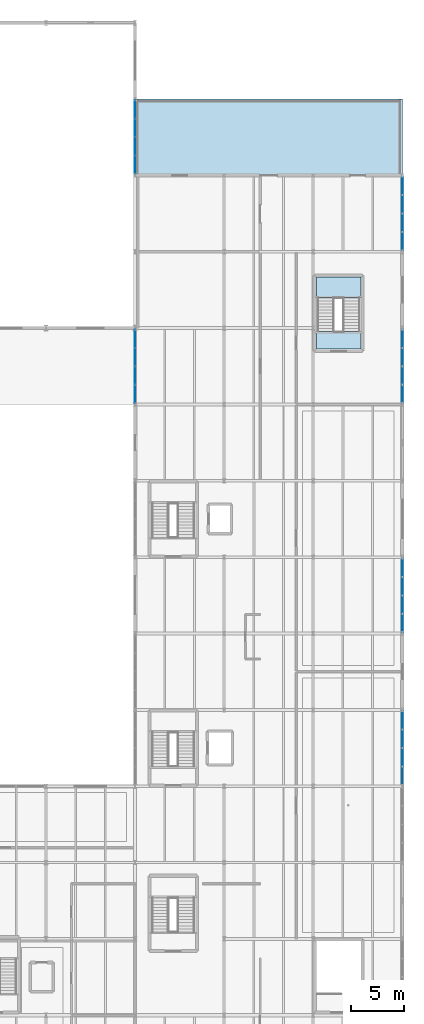
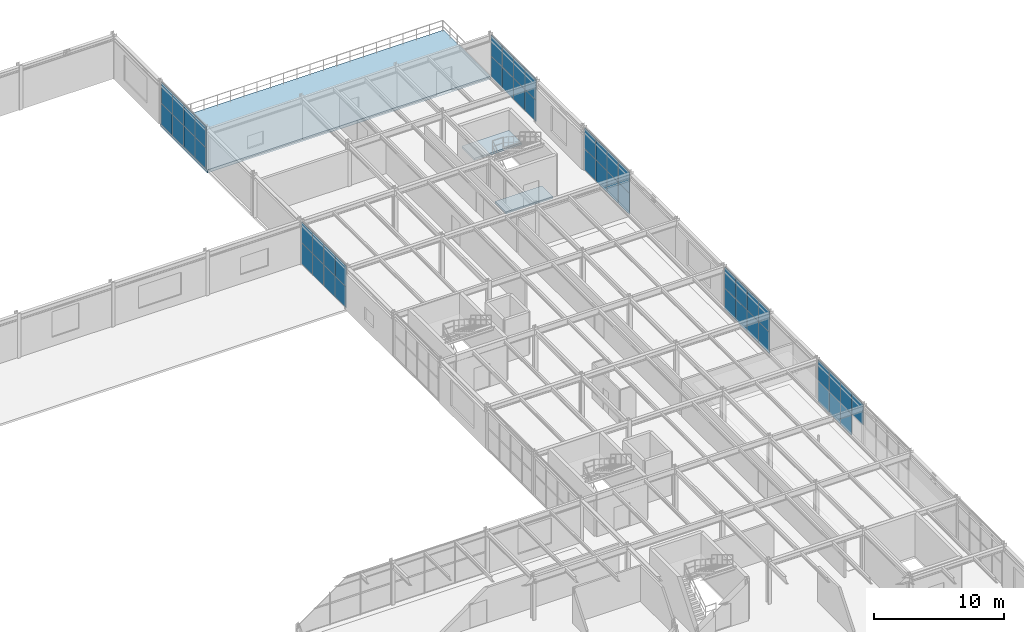
# One storey, part 55 of 73: 47 plates, 3 slabs, 7 elements without a shape of their own.
"""IFC4 building model written with IfcOpenShell, lengths in metres."""

from ifc_helpers import new_model, si_unit, derived_unit, direction, frame, origin, origin_2d, place, context, subcontext, project, spatial, polyline, rectangle, outline, extrude, material, layer, layer_set, type_object, element, aggregate, save


model = new_model("IFC4")

# Units and contexts
model_context = context("Model", 3, precision=1e-05, world=origin(), true_north=direction((0.0, 1.0)))
body_context = subcontext(model_context, "Body", "Model", "MODEL_VIEW")
ifc_project = project(units=[si_unit("LENGTHUNIT", "METRE"), si_unit("AREAUNIT", "SQUARE_METRE"), si_unit("VOLUMEUNIT", "CUBIC_METRE"), si_unit("PLANEANGLEUNIT", "RADIAN"), si_unit("MASSUNIT", "GRAM", prefix="KILO"), derived_unit("THERMALTRANSMITTANCEUNIT", [(si_unit("MASSUNIT", "GRAM", prefix="KILO"), 1), (si_unit("TIMEUNIT", "SECOND"), -3), (si_unit("THERMODYNAMICTEMPERATUREUNIT", "KELVIN"), -1)])], contexts=[model_context])

# Site, building, storey
site_placement = place(None, origin())
site = spatial("IfcSite", under=ifc_project, at=site_placement, CompositionType="ELEMENT")
building_placement = place(site_placement, origin())
building = spatial("IfcBuilding", under=site, at=building_placement, Name="Kharveza Railside Sports Centre", CompositionType="ELEMENT")
storey_placement = place(building_placement, frame((0.0, 0.0, 8.699951171875)))
storey = spatial("IfcBuildingStorey", under=building, at=storey_placement, Name="L02", CompositionType="ELEMENT", Elevation=8.699951171875)

# Curtain wall, plates
ifc_material_1 = material(Name="Low-E solar-control laminated glass", Category="glass")
curtain_wall_type = type_object("IfcCurtainWallType", Name="CW-WG02", PredefinedType="NOTDEFINED", material=ifc_material_1)
curtain_wall_1_placement = place(storey_placement, origin())
curtain_wall_1 = element("IfcCurtainWall", 1, at=curtain_wall_1_placement, inside=storey, type_object=curtain_wall_type, Name="CW-WG-L02-CW-WG02-X1680-Y396", PredefinedType="NOTDEFINED")
ifc_layer_1 = layer(ifc_material_1, 0.035888671875, Name="Low-E solar-control laminated glass")
ifc_layer_set_1 = layer_set([ifc_layer_1], Name="Low-E solar-control laminated glass")
plate_type_1 = type_object("IfcPlateType", Name="PL-CP10", PredefinedType="CURTAIN_PANEL", material=ifc_layer_set_1)
plate_1_placement = place(storey_placement, frame((168.0, 36.989990234375, 2.02001953125), z_axis=(0.0, 0.0, 1.0), x_axis=(0.0, 1.0, 0.0)))
plate_1 = element("IfcPlate", 2, at=plate_1_placement, type_object=plate_type_1, Name="CW-WG-L02-CW-WG02-X1680-Y396-PN12", PredefinedType="CURTAIN_PANEL", context=body_context, shape_type="SweptSolid", body=[
    extrude(rectangle(XDim=1.699951171875, YDim=0.035888671875, at=origin_2d()), origin(), (0.0, 0.0, 1.0), 1.9599609375),
])
plate_2_placement = place(storey_placement, frame((168.0, 38.72998046875, 2.02001953125), z_axis=(0.0, 0.0, 1.0), x_axis=(0.0, 1.0, 0.0)))
plate_2 = element("IfcPlate", 3, at=plate_2_placement, type_object=plate_type_1, Name="CW-WG-L02-CW-WG02-X1680-Y396-PN22", PredefinedType="CURTAIN_PANEL", context=body_context, shape_type="SweptSolid", body=[
    extrude(rectangle(XDim=1.699951171875, YDim=0.035888671875, at=origin_2d()), origin(), (0.0, 0.0, 1.0), 1.9599609375),
])
plate_3_placement = place(storey_placement, frame((168.0, 40.469970703125, 2.02001953125), z_axis=(0.0, 0.0, 1.0), x_axis=(0.0, 1.0, 0.0)))
plate_3 = element("IfcPlate", 4, at=plate_3_placement, type_object=plate_type_1, Name="CW-WG-L02-CW-WG02-X1680-Y396-PN32", PredefinedType="CURTAIN_PANEL", context=body_context, shape_type="SweptSolid", body=[
    extrude(rectangle(XDim=1.699951171875, YDim=0.035888671875, at=origin_2d()), origin(), (0.0, 0.0, 1.0), 1.9599609375),
])
plate_4_placement = place(storey_placement, frame((168.0, 42.2099609375, 2.02001953125), z_axis=(0.0, 0.0, 1.0), x_axis=(0.0, 1.0, 0.0)))
plate_4 = element("IfcPlate", 5, at=plate_4_placement, type_object=plate_type_1, Name="CW-WG-L02-CW-WG02-X1680-Y396-PN42", PredefinedType="CURTAIN_PANEL", context=body_context, shape_type="SweptSolid", body=[
    extrude(rectangle(XDim=1.699951171875, YDim=0.035888671875, at=origin_2d()), origin(), (0.0, 0.0, 1.0), 1.9599609375),
])

curtain_wall_2_placement = place(storey_placement, origin())
curtain_wall_2 = element("IfcCurtainWall", 6, at=curtain_wall_2_placement, inside=storey, type_object=curtain_wall_type, Name="CW-WG-L02-CW-WG02-X1680-Y540", PredefinedType="NOTDEFINED")
plate_5_placement = place(storey_placement, frame((168.0, 51.389892578125, 2.02001953125), z_axis=(0.0, 0.0, 1.0), x_axis=(0.0, 1.0, 0.0)))
plate_5 = element("IfcPlate", 7, at=plate_5_placement, type_object=plate_type_1, Name="CW-WG-L02-CW-WG02-X1680-Y540-PN12", PredefinedType="CURTAIN_PANEL", context=body_context, shape_type="SweptSolid", body=[
    extrude(rectangle(XDim=1.699951171875, YDim=0.035888671875, at=origin_2d()), origin(), (0.0, 0.0, 1.0), 1.9599609375),
])
plate_6_placement = place(storey_placement, frame((168.0, 53.1298828125, 2.02001953125), z_axis=(0.0, 0.0, 1.0), x_axis=(0.0, 1.0, 0.0)))
plate_6 = element("IfcPlate", 8, at=plate_6_placement, type_object=plate_type_1, Name="CW-WG-L02-CW-WG02-X1680-Y540-PN22", PredefinedType="CURTAIN_PANEL", context=body_context, shape_type="SweptSolid", body=[
    extrude(rectangle(XDim=1.699951171875, YDim=0.035888671875, at=origin_2d()), origin(), (0.0, 0.0, 1.0), 1.9599609375),
])
plate_7_placement = place(storey_placement, frame((168.0, 54.8701171875, 2.02001953125), z_axis=(0.0, 0.0, 1.0), x_axis=(0.0, 1.0, 0.0)))
plate_7 = element("IfcPlate", 9, at=plate_7_placement, type_object=plate_type_1, Name="CW-WG-L02-CW-WG02-X1680-Y540-PN32", PredefinedType="CURTAIN_PANEL", context=body_context, shape_type="SweptSolid", body=[
    extrude(rectangle(XDim=1.699951171875, YDim=0.035888671875, at=origin_2d()), origin(), (0.0, 0.0, 1.0), 1.9599609375),
])
plate_8_placement = place(storey_placement, frame((168.0, 56.610107421875, 2.02001953125), z_axis=(0.0, 0.0, 1.0), x_axis=(0.0, 1.0, 0.0)))
plate_8 = element("IfcPlate", 10, at=plate_8_placement, type_object=plate_type_1, Name="CW-WG-L02-CW-WG02-X1680-Y540-PN42", PredefinedType="CURTAIN_PANEL", context=body_context, shape_type="SweptSolid", body=[
    extrude(rectangle(XDim=1.699951171875, YDim=0.035888671875, at=origin_2d()), origin(), (0.0, 0.0, 1.0), 1.9599609375),
])

curtain_wall_3_placement = place(storey_placement, origin())
curtain_wall_3 = element("IfcCurtainWall", 11, at=curtain_wall_3_placement, inside=storey, type_object=curtain_wall_type, Name="CW-WG-L02-CW-WG02-X1680-Y756", PredefinedType="NOTDEFINED")
plate_9_placement = place(storey_placement, frame((168.0, 72.989990234375, 2.02001953125), z_axis=(0.0, 0.0, 1.0), x_axis=(0.0, 1.0, 0.0)))
plate_9 = element("IfcPlate", 12, at=plate_9_placement, type_object=plate_type_1, Name="CW-WG-L02-CW-WG02-X1680-Y756-PN12", PredefinedType="CURTAIN_PANEL", context=body_context, shape_type="SweptSolid", body=[
    extrude(rectangle(XDim=1.699951171875, YDim=0.035888671875, at=origin_2d()), origin(), (0.0, 0.0, 1.0), 1.9599609375),
])
plate_10_placement = place(storey_placement, frame((168.0, 74.72998046875, 2.02001953125), z_axis=(0.0, 0.0, 1.0), x_axis=(0.0, 1.0, 0.0)))
plate_10 = element("IfcPlate", 13, at=plate_10_placement, type_object=plate_type_1, Name="CW-WG-L02-CW-WG02-X1680-Y756-PN22", PredefinedType="CURTAIN_PANEL", context=body_context, shape_type="SweptSolid", body=[
    extrude(rectangle(XDim=1.699951171875, YDim=0.035888671875, at=origin_2d()), origin(), (0.0, 0.0, 1.0), 1.9599609375),
])
plate_11_placement = place(storey_placement, frame((168.0, 76.469970703125, 2.02001953125), z_axis=(0.0, 0.0, 1.0), x_axis=(0.0, 1.0, 0.0)))
plate_11 = element("IfcPlate", 14, at=plate_11_placement, type_object=plate_type_1, Name="CW-WG-L02-CW-WG02-X1680-Y756-PN32", PredefinedType="CURTAIN_PANEL", context=body_context, shape_type="SweptSolid", body=[
    extrude(rectangle(XDim=1.699951171875, YDim=0.035888671875, at=origin_2d()), origin(), (0.0, 0.0, 1.0), 1.9599609375),
])
plate_12_placement = place(storey_placement, frame((168.0, 78.2099609375, 2.02001953125), z_axis=(0.0, 0.0, 1.0), x_axis=(0.0, 1.0, 0.0)))
plate_12 = element("IfcPlate", 15, at=plate_12_placement, type_object=plate_type_1, Name="CW-WG-L02-CW-WG02-X1680-Y756-PN42", PredefinedType="CURTAIN_PANEL", context=body_context, shape_type="SweptSolid", body=[
    extrude(rectangle(XDim=1.699951171875, YDim=0.035888671875, at=origin_2d()), origin(), (0.0, 0.0, 1.0), 1.9599609375),
])

curtain_wall_4_placement = place(storey_placement, origin())
curtain_wall_4 = element("IfcCurtainWall", 16, at=curtain_wall_4_placement, inside=storey, type_object=curtain_wall_type, Name="CW-WG-L02-CW-WG02-X1680-Y900", PredefinedType="NOTDEFINED")
plate_13_placement = place(storey_placement, frame((168.0, 87.389892578125, 2.02001953125), z_axis=(0.0, 0.0, 1.0), x_axis=(0.0, 1.0, 0.0)))
plate_13 = element("IfcPlate", 17, at=plate_13_placement, type_object=plate_type_1, Name="CW-WG-L02-CW-WG02-X1680-Y900-PN12", PredefinedType="CURTAIN_PANEL", context=body_context, shape_type="SweptSolid", body=[
    extrude(rectangle(XDim=1.699951171875, YDim=0.035888671875, at=origin_2d()), origin(), (0.0, 0.0, 1.0), 1.9599609375),
])
plate_14_placement = place(storey_placement, frame((168.0, 89.1298828125, 2.02001953125), z_axis=(0.0, 0.0, 1.0), x_axis=(0.0, 1.0, 0.0)))
plate_14 = element("IfcPlate", 18, at=plate_14_placement, type_object=plate_type_1, Name="CW-WG-L02-CW-WG02-X1680-Y900-PN22", PredefinedType="CURTAIN_PANEL", context=body_context, shape_type="SweptSolid", body=[
    extrude(rectangle(XDim=1.699951171875, YDim=0.035888671875, at=origin_2d()), origin(), (0.0, 0.0, 1.0), 1.9599609375),
])
plate_15_placement = place(storey_placement, frame((168.0, 90.8701171875, 2.02001953125), z_axis=(0.0, 0.0, 1.0), x_axis=(0.0, 1.0, 0.0)))
plate_15 = element("IfcPlate", 19, at=plate_15_placement, type_object=plate_type_1, Name="CW-WG-L02-CW-WG02-X1680-Y900-PN32", PredefinedType="CURTAIN_PANEL", context=body_context, shape_type="SweptSolid", body=[
    extrude(rectangle(XDim=1.699951171875, YDim=0.035888671875, at=origin_2d()), origin(), (0.0, 0.0, 1.0), 1.9599609375),
])
plate_16_placement = place(storey_placement, frame((168.0, 92.610107421875, 2.02001953125), z_axis=(0.0, 0.0, 1.0), x_axis=(0.0, 1.0, 0.0)))
plate_16 = element("IfcPlate", 20, at=plate_16_placement, type_object=plate_type_1, Name="CW-WG-L02-CW-WG02-X1680-Y900-PN42", PredefinedType="CURTAIN_PANEL", context=body_context, shape_type="SweptSolid", body=[
    extrude(rectangle(XDim=1.699951171875, YDim=0.035888671875, at=origin_2d()), origin(), (0.0, 0.0, 1.0), 1.9599609375),
])

curtain_wall_5_placement = place(storey_placement, origin())
curtain_wall_5 = element("IfcCurtainWall", 21, at=curtain_wall_5_placement, inside=storey, type_object=curtain_wall_type, Name="CW-WG-L02-CW-WG02-X1428-Y972", PredefinedType="NOTDEFINED")
plate_17_placement = place(storey_placement, frame((142.800048828125, 94.590087890625, 2.02001953125), z_axis=(0.0, 0.0, 1.0), x_axis=(0.0, 1.0, 0.0)))
plate_17 = element("IfcPlate", 22, at=plate_17_placement, type_object=plate_type_1, Name="CW-WG-L02-CW-WG02-X1428-Y972-PN12", PredefinedType="CURTAIN_PANEL", context=body_context, shape_type="SweptSolid", body=[
    extrude(rectangle(XDim=1.699951171875, YDim=0.035888671875, at=origin_2d()), origin(), (0.0, 0.0, 1.0), 1.9599609375),
])
plate_18_placement = place(storey_placement, frame((142.800048828125, 96.330078125, 2.02001953125), z_axis=(0.0, 0.0, 1.0), x_axis=(0.0, 1.0, 0.0)))
plate_18 = element("IfcPlate", 23, at=plate_18_placement, type_object=plate_type_1, Name="CW-WG-L02-CW-WG02-X1428-Y972-PN22", PredefinedType="CURTAIN_PANEL", context=body_context, shape_type="SweptSolid", body=[
    extrude(rectangle(XDim=1.699951171875, YDim=0.035888671875, at=origin_2d()), origin(), (0.0, 0.0, 1.0), 1.9599609375),
])
plate_19_placement = place(storey_placement, frame((142.800048828125, 98.070068359375, 2.02001953125), z_axis=(0.0, 0.0, 1.0), x_axis=(0.0, 1.0, 0.0)))
plate_19 = element("IfcPlate", 24, at=plate_19_placement, type_object=plate_type_1, Name="CW-WG-L02-CW-WG02-X1428-Y972-PN32", PredefinedType="CURTAIN_PANEL", context=body_context, shape_type="SweptSolid", body=[
    extrude(rectangle(XDim=1.699951171875, YDim=0.035888671875, at=origin_2d()), origin(), (0.0, 0.0, 1.0), 1.9599609375),
])
plate_20_placement = place(storey_placement, frame((142.800048828125, 99.81005859375, 2.02001953125), z_axis=(0.0, 0.0, 1.0), x_axis=(0.0, 1.0, 0.0)))
plate_20 = element("IfcPlate", 25, at=plate_20_placement, type_object=plate_type_1, Name="CW-WG-L02-CW-WG02-X1428-Y972-PN42", PredefinedType="CURTAIN_PANEL", context=body_context, shape_type="SweptSolid", body=[
    extrude(rectangle(XDim=1.699951171875, YDim=0.035888671875, at=origin_2d()), origin(), (0.0, 0.0, 1.0), 1.9599609375),
])

curtain_wall_6_placement = place(storey_placement, origin())
curtain_wall_6 = element("IfcCurtainWall", 26, at=curtain_wall_6_placement, inside=storey, type_object=curtain_wall_type, Name="CW-WG-L02-CW-WG02-X1428-Y756", PredefinedType="NOTDEFINED")
plate_21_placement = place(storey_placement, frame((142.800048828125, 78.2099609375, 2.02001953125), z_axis=(0.0, 0.0, 1.0), x_axis=(0.0, -1.0, 0.0)))
plate_21 = element("IfcPlate", 27, at=plate_21_placement, type_object=plate_type_1, Name="CW-WG-L02-CW-WG02-X1428-Y756-PN12", PredefinedType="CURTAIN_PANEL", context=body_context, shape_type="SweptSolid", body=[
    extrude(rectangle(XDim=1.699951171875, YDim=0.035888671875, at=origin_2d()), origin(), (0.0, 0.0, 1.0), 1.9599609375),
])
plate_22_placement = place(storey_placement, frame((142.800048828125, 76.469970703125, 2.02001953125), z_axis=(0.0, 0.0, 1.0), x_axis=(0.0, -1.0, 0.0)))
plate_22 = element("IfcPlate", 28, at=plate_22_placement, type_object=plate_type_1, Name="CW-WG-L02-CW-WG02-X1428-Y756-PN22", PredefinedType="CURTAIN_PANEL", context=body_context, shape_type="SweptSolid", body=[
    extrude(rectangle(XDim=1.699951171875, YDim=0.035888671875, at=origin_2d()), origin(), (0.0, 0.0, 1.0), 1.9599609375),
])
plate_23_placement = place(storey_placement, frame((142.800048828125, 74.72998046875, 2.02001953125), z_axis=(0.0, 0.0, 1.0), x_axis=(0.0, -1.0, 0.0)))
plate_23 = element("IfcPlate", 29, at=plate_23_placement, type_object=plate_type_1, Name="CW-WG-L02-CW-WG02-X1428-Y756-PN32", PredefinedType="CURTAIN_PANEL", context=body_context, shape_type="SweptSolid", body=[
    extrude(rectangle(XDim=1.699951171875, YDim=0.035888671875, at=origin_2d()), origin(), (0.0, 0.0, 1.0), 1.9599609375),
])
plate_24_placement = place(storey_placement, frame((142.800048828125, 72.989990234375, 2.02001953125), z_axis=(0.0, 0.0, 1.0), x_axis=(0.0, -1.0, 0.0)))
plate_24 = element("IfcPlate", 30, at=plate_24_placement, type_object=plate_type_1, Name="CW-WG-L02-CW-WG02-X1428-Y756-PN42", PredefinedType="CURTAIN_PANEL", context=body_context, shape_type="SweptSolid", body=[
    extrude(rectangle(XDim=1.699951171875, YDim=0.035888671875, at=origin_2d()), origin(), (0.0, 0.0, 1.0), 1.9599609375),
])

# Plate
ifc_material_2 = material(Name="Anodised aluminium 6063-T6", Category="aluminium")
ifc_layer_2 = layer(ifc_material_2, 0.044921875, Name="Anodised aluminium 6063-T6")
ifc_layer_set_2 = layer_set([ifc_layer_2], Name="Anodised aluminium 6063-T6")
plate_type_2 = type_object("IfcPlateType", Name="PL-CP11", PredefinedType="CURTAIN_PANEL", material=ifc_layer_set_2)
plate_25_placement = place(storey_placement, frame((168.0, 38.72998046875, 0.02001953125), z_axis=(0.0, 0.0, 1.0), x_axis=(0.0, 1.0, 0.0)))
plate_25 = element("IfcPlate", 31, at=plate_25_placement, type_object=plate_type_2, Name="CW-WG-L02-CW-WG02-X1680-Y396-PN21", PredefinedType="CURTAIN_PANEL", context=body_context, shape_type="SweptSolid", body=[
    extrude(rectangle(XDim=1.699951171875, YDim=0.044921875, at=origin_2d()), origin(), (0.0, 0.0, 1.0), 1.9599609375),
])

plate_26_placement = place(storey_placement, frame((168.0, 40.469970703125, 0.02001953125), z_axis=(0.0, 0.0, 1.0), x_axis=(0.0, 1.0, 0.0)))
plate_26 = element("IfcPlate", 32, at=plate_26_placement, type_object=plate_type_2, Name="CW-WG-L02-CW-WG02-X1680-Y396-PN31", PredefinedType="CURTAIN_PANEL", context=body_context, shape_type="SweptSolid", body=[
    extrude(rectangle(XDim=1.699951171875, YDim=0.044921875, at=origin_2d()), origin(), (0.0, 0.0, 1.0), 1.9599609375),
])

plate_27_placement = place(storey_placement, frame((168.0, 42.2099609375, 0.02001953125), z_axis=(0.0, 0.0, 1.0), x_axis=(0.0, 1.0, 0.0)))
plate_27 = element("IfcPlate", 33, at=plate_27_placement, type_object=plate_type_2, Name="CW-WG-L02-CW-WG02-X1680-Y396-PN41", PredefinedType="CURTAIN_PANEL", context=body_context, shape_type="SweptSolid", body=[
    extrude(rectangle(XDim=1.699951171875, YDim=0.044921875, at=origin_2d()), origin(), (0.0, 0.0, 1.0), 1.9599609375),
])

aggregate(curtain_wall_1, [plate_1, plate_25, plate_2, plate_26, plate_3, plate_27, plate_4])

plate_28_placement = place(storey_placement, frame((168.0, 51.389892578125, 0.02001953125), z_axis=(0.0, 0.0, 1.0), x_axis=(0.0, 1.0, 0.0)))
plate_28 = element("IfcPlate", 34, at=plate_28_placement, type_object=plate_type_2, Name="CW-WG-L02-CW-WG02-X1680-Y540-PN11", PredefinedType="CURTAIN_PANEL", context=body_context, shape_type="SweptSolid", body=[
    extrude(rectangle(XDim=1.699951171875, YDim=0.044921875, at=origin_2d()), origin(), (0.0, 0.0, 1.0), 1.9599609375),
])

plate_29_placement = place(storey_placement, frame((168.0, 53.1298828125, 0.02001953125), z_axis=(0.0, 0.0, 1.0), x_axis=(0.0, 1.0, 0.0)))
plate_29 = element("IfcPlate", 35, at=plate_29_placement, type_object=plate_type_2, Name="CW-WG-L02-CW-WG02-X1680-Y540-PN21", PredefinedType="CURTAIN_PANEL", context=body_context, shape_type="SweptSolid", body=[
    extrude(rectangle(XDim=1.699951171875, YDim=0.044921875, at=origin_2d()), origin(), (0.0, 0.0, 1.0), 1.9599609375),
])

plate_30_placement = place(storey_placement, frame((168.0, 54.8701171875, 0.02001953125), z_axis=(0.0, 0.0, 1.0), x_axis=(0.0, 1.0, 0.0)))
plate_30 = element("IfcPlate", 36, at=plate_30_placement, type_object=plate_type_2, Name="CW-WG-L02-CW-WG02-X1680-Y540-PN31", PredefinedType="CURTAIN_PANEL", context=body_context, shape_type="SweptSolid", body=[
    extrude(rectangle(XDim=1.699951171875, YDim=0.044921875, at=origin_2d()), origin(), (0.0, 0.0, 1.0), 1.9599609375),
])

plate_31_placement = place(storey_placement, frame((168.0, 56.610107421875, 0.02001953125), z_axis=(0.0, 0.0, 1.0), x_axis=(0.0, 1.0, 0.0)))
plate_31 = element("IfcPlate", 37, at=plate_31_placement, type_object=plate_type_2, Name="CW-WG-L02-CW-WG02-X1680-Y540-PN41", PredefinedType="CURTAIN_PANEL", context=body_context, shape_type="SweptSolid", body=[
    extrude(rectangle(XDim=1.699951171875, YDim=0.044921875, at=origin_2d()), origin(), (0.0, 0.0, 1.0), 1.9599609375),
])

aggregate(curtain_wall_2, [plate_28, plate_5, plate_29, plate_6, plate_30, plate_7, plate_31, plate_8])

plate_32_placement = place(storey_placement, frame((168.0, 72.989990234375, 0.02001953125), z_axis=(0.0, 0.0, 1.0), x_axis=(0.0, 1.0, 0.0)))
plate_32 = element("IfcPlate", 38, at=plate_32_placement, type_object=plate_type_2, Name="CW-WG-L02-CW-WG02-X1680-Y756-PN11", PredefinedType="CURTAIN_PANEL", context=body_context, shape_type="SweptSolid", body=[
    extrude(rectangle(XDim=1.699951171875, YDim=0.044921875, at=origin_2d()), origin(), (0.0, 0.0, 1.0), 1.9599609375),
])

plate_33_placement = place(storey_placement, frame((168.0, 74.72998046875, 0.02001953125), z_axis=(0.0, 0.0, 1.0), x_axis=(0.0, 1.0, 0.0)))
plate_33 = element("IfcPlate", 39, at=plate_33_placement, type_object=plate_type_2, Name="CW-WG-L02-CW-WG02-X1680-Y756-PN21", PredefinedType="CURTAIN_PANEL", context=body_context, shape_type="SweptSolid", body=[
    extrude(rectangle(XDim=1.699951171875, YDim=0.044921875, at=origin_2d()), origin(), (0.0, 0.0, 1.0), 1.9599609375),
])

plate_34_placement = place(storey_placement, frame((168.0, 76.469970703125, 0.02001953125), z_axis=(0.0, 0.0, 1.0), x_axis=(0.0, 1.0, 0.0)))
plate_34 = element("IfcPlate", 40, at=plate_34_placement, type_object=plate_type_2, Name="CW-WG-L02-CW-WG02-X1680-Y756-PN31", PredefinedType="CURTAIN_PANEL", context=body_context, shape_type="SweptSolid", body=[
    extrude(rectangle(XDim=1.699951171875, YDim=0.044921875, at=origin_2d()), origin(), (0.0, 0.0, 1.0), 1.9599609375),
])

plate_35_placement = place(storey_placement, frame((168.0, 78.2099609375, 0.02001953125), z_axis=(0.0, 0.0, 1.0), x_axis=(0.0, 1.0, 0.0)))
plate_35 = element("IfcPlate", 41, at=plate_35_placement, type_object=plate_type_2, Name="CW-WG-L02-CW-WG02-X1680-Y756-PN41", PredefinedType="CURTAIN_PANEL", context=body_context, shape_type="SweptSolid", body=[
    extrude(rectangle(XDim=1.699951171875, YDim=0.044921875, at=origin_2d()), origin(), (0.0, 0.0, 1.0), 1.9599609375),
])

aggregate(curtain_wall_3, [plate_32, plate_9, plate_33, plate_10, plate_34, plate_11, plate_35, plate_12])

plate_36_placement = place(storey_placement, frame((168.0, 87.389892578125, 0.02001953125), z_axis=(0.0, 0.0, 1.0), x_axis=(0.0, 1.0, 0.0)))
plate_36 = element("IfcPlate", 42, at=plate_36_placement, type_object=plate_type_2, Name="CW-WG-L02-CW-WG02-X1680-Y900-PN11", PredefinedType="CURTAIN_PANEL", context=body_context, shape_type="SweptSolid", body=[
    extrude(rectangle(XDim=1.699951171875, YDim=0.044921875, at=origin_2d()), origin(), (0.0, 0.0, 1.0), 1.9599609375),
])

plate_37_placement = place(storey_placement, frame((168.0, 89.1298828125, 0.02001953125), z_axis=(0.0, 0.0, 1.0), x_axis=(0.0, 1.0, 0.0)))
plate_37 = element("IfcPlate", 43, at=plate_37_placement, type_object=plate_type_2, Name="CW-WG-L02-CW-WG02-X1680-Y900-PN21", PredefinedType="CURTAIN_PANEL", context=body_context, shape_type="SweptSolid", body=[
    extrude(rectangle(XDim=1.699951171875, YDim=0.044921875, at=origin_2d()), origin(), (0.0, 0.0, 1.0), 1.9599609375),
])

plate_38_placement = place(storey_placement, frame((168.0, 90.8701171875, 0.02001953125), z_axis=(0.0, 0.0, 1.0), x_axis=(0.0, 1.0, 0.0)))
plate_38 = element("IfcPlate", 44, at=plate_38_placement, type_object=plate_type_2, Name="CW-WG-L02-CW-WG02-X1680-Y900-PN31", PredefinedType="CURTAIN_PANEL", context=body_context, shape_type="SweptSolid", body=[
    extrude(rectangle(XDim=1.699951171875, YDim=0.044921875, at=origin_2d()), origin(), (0.0, 0.0, 1.0), 1.9599609375),
])

plate_39_placement = place(storey_placement, frame((168.0, 92.610107421875, 0.02001953125), z_axis=(0.0, 0.0, 1.0), x_axis=(0.0, 1.0, 0.0)))
plate_39 = element("IfcPlate", 45, at=plate_39_placement, type_object=plate_type_2, Name="CW-WG-L02-CW-WG02-X1680-Y900-PN41", PredefinedType="CURTAIN_PANEL", context=body_context, shape_type="SweptSolid", body=[
    extrude(rectangle(XDim=1.699951171875, YDim=0.044921875, at=origin_2d()), origin(), (0.0, 0.0, 1.0), 1.9599609375),
])

aggregate(curtain_wall_4, [plate_36, plate_13, plate_37, plate_14, plate_38, plate_15, plate_39, plate_16])

plate_40_placement = place(storey_placement, frame((142.800048828125, 94.590087890625, 0.02001953125), z_axis=(0.0, 0.0, 1.0), x_axis=(0.0, 1.0, 0.0)))
plate_40 = element("IfcPlate", 46, at=plate_40_placement, type_object=plate_type_2, Name="CW-WG-L02-CW-WG02-X1428-Y972-PN11", PredefinedType="CURTAIN_PANEL", context=body_context, shape_type="SweptSolid", body=[
    extrude(rectangle(XDim=1.699951171875, YDim=0.044921875, at=origin_2d()), origin(), (0.0, 0.0, 1.0), 1.9599609375),
])

plate_41_placement = place(storey_placement, frame((142.800048828125, 96.330078125, 0.02001953125), z_axis=(0.0, 0.0, 1.0), x_axis=(0.0, 1.0, 0.0)))
plate_41 = element("IfcPlate", 47, at=plate_41_placement, type_object=plate_type_2, Name="CW-WG-L02-CW-WG02-X1428-Y972-PN21", PredefinedType="CURTAIN_PANEL", context=body_context, shape_type="SweptSolid", body=[
    extrude(rectangle(XDim=1.699951171875, YDim=0.044921875, at=origin_2d()), origin(), (0.0, 0.0, 1.0), 1.9599609375),
])

plate_42_placement = place(storey_placement, frame((142.800048828125, 98.070068359375, 0.02001953125), z_axis=(0.0, 0.0, 1.0), x_axis=(0.0, 1.0, 0.0)))
plate_42 = element("IfcPlate", 48, at=plate_42_placement, type_object=plate_type_2, Name="CW-WG-L02-CW-WG02-X1428-Y972-PN31", PredefinedType="CURTAIN_PANEL", context=body_context, shape_type="SweptSolid", body=[
    extrude(rectangle(XDim=1.699951171875, YDim=0.044921875, at=origin_2d()), origin(), (0.0, 0.0, 1.0), 1.9599609375),
])

plate_43_placement = place(storey_placement, frame((142.800048828125, 99.81005859375, 0.02001953125), z_axis=(0.0, 0.0, 1.0), x_axis=(0.0, 1.0, 0.0)))
plate_43 = element("IfcPlate", 49, at=plate_43_placement, type_object=plate_type_2, Name="CW-WG-L02-CW-WG02-X1428-Y972-PN41", PredefinedType="CURTAIN_PANEL", context=body_context, shape_type="SweptSolid", body=[
    extrude(rectangle(XDim=1.699951171875, YDim=0.044921875, at=origin_2d()), origin(), (0.0, 0.0, 1.0), 1.9599609375),
])

aggregate(curtain_wall_5, [plate_40, plate_17, plate_41, plate_18, plate_42, plate_19, plate_43, plate_20])

plate_44_placement = place(storey_placement, frame((142.800048828125, 78.2099609375, 0.02001953125), z_axis=(0.0, 0.0, 1.0), x_axis=(0.0, -1.0, 0.0)))
plate_44 = element("IfcPlate", 50, at=plate_44_placement, type_object=plate_type_2, Name="CW-WG-L02-CW-WG02-X1428-Y756-PN11", PredefinedType="CURTAIN_PANEL", context=body_context, shape_type="SweptSolid", body=[
    extrude(rectangle(XDim=1.699951171875, YDim=0.044921875, at=origin_2d()), origin(), (0.0, 0.0, 1.0), 1.9599609375),
])

plate_45_placement = place(storey_placement, frame((142.800048828125, 76.469970703125, 0.02001953125), z_axis=(0.0, 0.0, 1.0), x_axis=(0.0, -1.0, 0.0)))
plate_45 = element("IfcPlate", 51, at=plate_45_placement, type_object=plate_type_2, Name="CW-WG-L02-CW-WG02-X1428-Y756-PN21", PredefinedType="CURTAIN_PANEL", context=body_context, shape_type="SweptSolid", body=[
    extrude(rectangle(XDim=1.699951171875, YDim=0.044921875, at=origin_2d()), origin(), (0.0, 0.0, 1.0), 1.9599609375),
])

plate_46_placement = place(storey_placement, frame((142.800048828125, 74.72998046875, 0.02001953125), z_axis=(0.0, 0.0, 1.0), x_axis=(0.0, -1.0, 0.0)))
plate_46 = element("IfcPlate", 52, at=plate_46_placement, type_object=plate_type_2, Name="CW-WG-L02-CW-WG02-X1428-Y756-PN31", PredefinedType="CURTAIN_PANEL", context=body_context, shape_type="SweptSolid", body=[
    extrude(rectangle(XDim=1.699951171875, YDim=0.044921875, at=origin_2d()), origin(), (0.0, 0.0, 1.0), 1.9599609375),
])

plate_47_placement = place(storey_placement, frame((142.800048828125, 72.989990234375, 0.02001953125), z_axis=(0.0, 0.0, 1.0), x_axis=(0.0, -1.0, 0.0)))
plate_47 = element("IfcPlate", 53, at=plate_47_placement, type_object=plate_type_2, Name="CW-WG-L02-CW-WG02-X1428-Y756-PN41", PredefinedType="CURTAIN_PANEL", context=body_context, shape_type="SweptSolid", body=[
    extrude(rectangle(XDim=1.699951171875, YDim=0.044921875, at=origin_2d()), origin(), (0.0, 0.0, 1.0), 1.9599609375),
])

aggregate(curtain_wall_6, [plate_44, plate_21, plate_45, plate_22, plate_46, plate_23, plate_47, plate_24])

# Slab
ifc_material_3 = material(Name="Concrete C35/45", Category="concrete")
ifc_layer_3 = layer(ifc_material_3, 0.18505859375, Name="Concrete C35/45")
ifc_layer_set_3 = layer_set([ifc_layer_3], Name="Concrete C35/45")
slab_type_1 = type_object("IfcSlabType", Name="SL-LD185", PredefinedType="LANDING", material=ifc_layer_set_3)
slab_1_placement = place(storey_placement, frame((0.0, 0.0, -0.18505859375)))
element("IfcSlab", 54, at=slab_1_placement, inside=storey, type_object=slab_type_1, Name="SLB-STLND-FLR-ST4-L02", PredefinedType="LANDING", context=body_context, shape_type="SweptSolid", body=[
    extrude(outline(polyline([(159.905029296875, 77.205078125), (164.094970703125, 77.205078125), (164.094970703125, 78.860107421875), (159.905029296875, 78.860107421875), (159.905029296875, 77.205078125)])), origin(), (0.0, 0.0, 1.0), 0.18505859375),
])

# Stair, slab
stair_type = type_object("IfcStairType", Name="ST-B42", PredefinedType="TWO_STRAIGHT_RUN_STAIR", material=ifc_material_3)
stair_placement = place(storey_placement, origin())
stair = element("IfcStair", 55, at=stair_placement, inside=storey, type_object=stair_type, Name="STR-ST4-L02", PredefinedType="TWO_STRAIGHT_RUN_STAIR")
slab_2_placement = place(storey_placement, frame((0.0, 0.0, 1.9150390625)))
slab_2 = element("IfcSlab", 56, at=slab_2_placement, type_object=slab_type_1, Name="STR-ST4-L02-HLND", PredefinedType="LANDING", context=body_context, shape_type="SweptSolid", body=[
    extrude(outline(polyline([(159.905029296875, 82.050048828125), (164.094970703125, 82.050048828125), (164.094970703125, 83.9951171875), (159.905029296875, 83.9951171875), (159.905029296875, 82.050048828125)])), origin(), (0.0, 0.0, 1.0), 0.18505859375),
])
aggregate(stair, [slab_2])

# Slab
ifc_layer_4 = layer(ifc_material_3, 0.280029296875, Name="Concrete C35/45")
ifc_layer_set_4 = layer_set([ifc_layer_4], Name="Concrete C35/45")
slab_type_2 = type_object("IfcSlabType", Name="SL-TR280", PredefinedType="FLOOR", material=ifc_layer_set_4)
slab_3_placement = place(storey_placement, frame((0.0, 0.0, -0.280029296875)))
element("IfcSlab", 57, at=slab_3_placement, inside=storey, type_object=slab_type_2, Name="Outdoor Terrace TERR-L02-NE", PredefinedType="FLOOR", context=body_context, shape_type="SweptSolid", body=[
    extrude(outline(polyline([(167.9990234375, 93.60107421875), (142.801025390625, 93.60107421875), (142.801025390625, 100.799072265625), (167.9990234375, 100.799072265625), (167.9990234375, 93.60107421875)])), origin(), (0.0, 0.0, 1.0), 0.280029296875),
])

save(model, "model.ifc")
